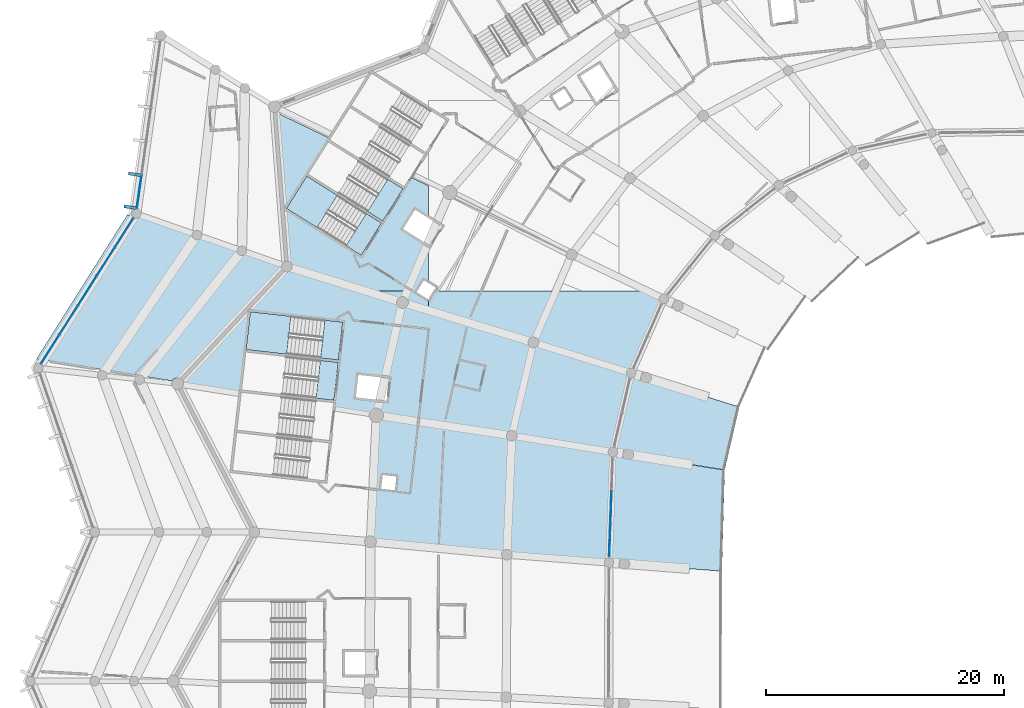
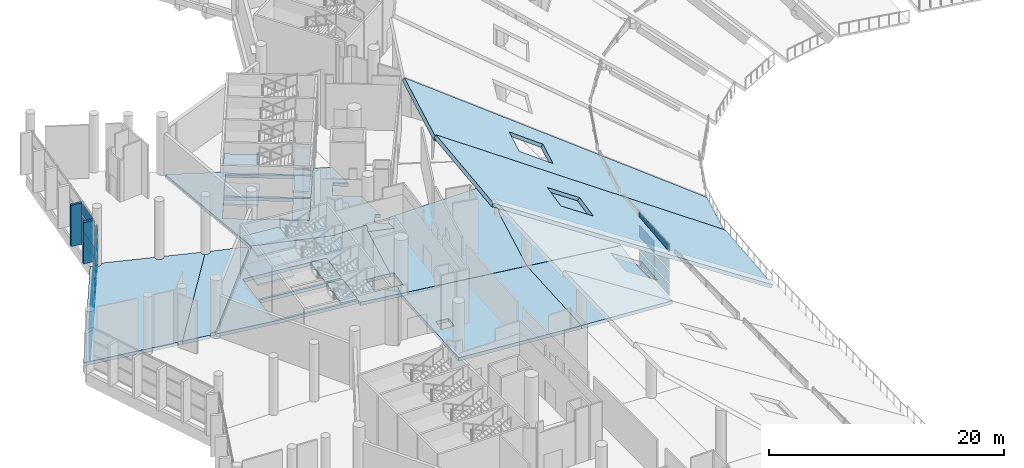
# One storey, part 120 of 249: 28 plates, 21 slabs, 7 elements without a shape of their own.
"""IFC4 building model written with IfcOpenShell, lengths in metres."""

from ifc_helpers import new_model, si_unit, direction, frame, origin, origin_2d, place, context, subcontext, project, spatial, polyline, rectangle, outline, extrude, material, layer, layer_set, type_object, element, aggregate, save


model = new_model("IFC4")

# Units and contexts
model_context = context("Model", 3, precision=1e-05, world=origin(), true_north=direction((0.0, 1.0)))
body_context = subcontext(model_context, "Body", "Model", "MODEL_VIEW")
ifc_project = project(units=[si_unit("LENGTHUNIT", "METRE"), si_unit("AREAUNIT", "SQUARE_METRE"), si_unit("VOLUMEUNIT", "CUBIC_METRE"), si_unit("PLANEANGLEUNIT", "RADIAN"), si_unit("MASSUNIT", "GRAM", prefix="KILO")], contexts=[model_context])

# Site, building, storey
site_placement = place(None, origin())
site = spatial("IfcSite", under=ifc_project, at=site_placement, CompositionType="ELEMENT")
building_placement = place(site_placement, origin())
building = spatial("IfcBuilding", under=site, at=building_placement, Name="Meseta Stadium", CompositionType="ELEMENT")
storey_placement = place(building_placement, frame((0.0, 0.0, 12.0)))
storey = spatial("IfcBuildingStorey", under=building, at=storey_placement, Name="L02", CompositionType="ELEMENT", Elevation=12.0)

# Curtain wall, plates
ifc_material_1 = material(Name="Aluminium", Category="aluminium")
ifc_layer_1 = layer(ifc_material_1, 0.199951171875)
ifc_layer_set_1 = layer_set([ifc_layer_1], Name="Suite glazing curtain wall")
curtain_wall_type_1 = type_object("IfcCurtainWallType", Name="Suite glazing curtain wall", PredefinedType="NOTDEFINED", material=ifc_layer_set_1)
curtain_wall_1_placement = place(storey_placement, origin())
curtain_wall_1 = element("IfcCurtainWall", 1, at=curtain_wall_1_placement, inside=storey, type_object=curtain_wall_type_1, Name="Suite glazing bay 28", PredefinedType="NOTDEFINED")
ifc_material_2 = material(Name="Glass", Category="glass")
ifc_layer_2 = layer(ifc_material_2, 0.035888671875)
ifc_layer_set_2 = layer_set([ifc_layer_2], Name="CW glass panel 36")
plate_type_1 = type_object("IfcPlateType", Name="CW glass panel 36", PredefinedType="CURTAIN_PANEL", material=ifc_layer_set_2)
plate_1_placement = place(storey_placement, frame((-64.665771484375, 45.840087890625, 0.14990234375), z_axis=(0.0, 0.0, 1.0), x_axis=(-0.035370706156, -0.999374260798, 0.0)))
plate_1 = element("IfcPlate", 2, at=plate_1_placement, type_object=plate_type_1, Name="CWS panel 2.1", PredefinedType="CURTAIN_PANEL", context=body_context, shape_type="SweptSolid", body=[
    extrude(rectangle(XDim=2.713134765625, YDim=0.035888671875, at=origin_2d()), origin(), (0.0, 0.0, 1.0), 1.1875),
])
plate_2_placement = place(storey_placement, frame((-64.665771484375, 45.840087890625, 1.4873046875), z_axis=(0.0, 0.0, 1.0), x_axis=(-0.035370706156, -0.999374260798, 0.0)))
plate_2 = element("IfcPlate", 3, at=plate_2_placement, type_object=plate_type_1, Name="CWS panel 2.2", PredefinedType="CURTAIN_PANEL", context=body_context, shape_type="SweptSolid", body=[
    extrude(rectangle(XDim=2.713134765625, YDim=0.035888671875, at=origin_2d()), origin(), (0.0, 0.0, 1.0), 1.262451171875),
])
plate_3_placement = place(storey_placement, frame((-64.665771484375, 45.840087890625, 2.89990234375), z_axis=(0.0, 0.0, 1.0), x_axis=(-0.035370706156, -0.999374260798, 0.0)))
plate_3 = element("IfcPlate", 4, at=plate_3_placement, type_object=plate_type_1, Name="CWS panel 2.3", PredefinedType="CURTAIN_PANEL", context=body_context, shape_type="SweptSolid", body=[
    extrude(rectangle(XDim=2.713134765625, YDim=0.035888671875, at=origin_2d()), origin(), (0.0, 0.0, 1.0), 1.262451171875),
])
plate_4_placement = place(storey_placement, frame((-64.665771484375, 45.840087890625, 4.3125), z_axis=(0.0, 0.0, 1.0), x_axis=(-0.035370706156, -0.999374260798, 0.0)))
plate_4 = element("IfcPlate", 5, at=plate_4_placement, type_object=plate_type_1, Name="CWS panel 2.4", PredefinedType="CURTAIN_PANEL", context=body_context, shape_type="SweptSolid", body=[
    extrude(rectangle(XDim=2.713134765625, YDim=0.035888671875, at=origin_2d()), origin(), (0.0, 0.0, 1.0), 1.1875),
])
plate_5_placement = place(storey_placement, frame((-64.763427734375, 43.083740234375, 0.14990234375), z_axis=(0.0, 0.0, 1.0), x_axis=(-0.035370706156, -0.999374260798, 0.0)))
plate_5 = element("IfcPlate", 6, at=plate_5_placement, type_object=plate_type_1, Name="CWS panel 3.1", PredefinedType="CURTAIN_PANEL", context=body_context, shape_type="SweptSolid", body=[
    extrude(rectangle(XDim=2.68310546875, YDim=0.035888671875, at=origin_2d()), origin(), (0.0, 0.0, 1.0), 1.1875),
])
plate_6_placement = place(storey_placement, frame((-64.763427734375, 43.083740234375, 1.4873046875), z_axis=(0.0, 0.0, 1.0), x_axis=(-0.035370706156, -0.999374260798, 0.0)))
plate_6 = element("IfcPlate", 7, at=plate_6_placement, type_object=plate_type_1, Name="CWS panel 3.2", PredefinedType="CURTAIN_PANEL", context=body_context, shape_type="SweptSolid", body=[
    extrude(rectangle(XDim=2.68310546875, YDim=0.035888671875, at=origin_2d()), origin(), (0.0, 0.0, 1.0), 1.262451171875),
])
plate_7_placement = place(storey_placement, frame((-64.763427734375, 43.083740234375, 2.89990234375), z_axis=(0.0, 0.0, 1.0), x_axis=(-0.035370706156, -0.999374260798, 0.0)))
plate_7 = element("IfcPlate", 8, at=plate_7_placement, type_object=plate_type_1, Name="CWS panel 3.3", PredefinedType="CURTAIN_PANEL", context=body_context, shape_type="SweptSolid", body=[
    extrude(rectangle(XDim=2.68310546875, YDim=0.035888671875, at=origin_2d()), origin(), (0.0, 0.0, 1.0), 1.262451171875),
])
plate_8_placement = place(storey_placement, frame((-64.763427734375, 43.083740234375, 4.3125), z_axis=(0.0, 0.0, 1.0), x_axis=(-0.035370706156, -0.999374260798, 0.0)))
plate_8 = element("IfcPlate", 9, at=plate_8_placement, type_object=plate_type_1, Name="CWS panel 3.4", PredefinedType="CURTAIN_PANEL", context=body_context, shape_type="SweptSolid", body=[
    extrude(rectangle(XDim=2.68310546875, YDim=0.035888671875, at=origin_2d()), origin(), (0.0, 0.0, 1.0), 1.1875),
])
aggregate(curtain_wall_1, [plate_1, plate_2, plate_3, plate_4, plate_5, plate_6, plate_7, plate_8])

# Slabs
ifc_material_3 = material(Name="Concrete C40/50", Category="concrete")
ifc_layer_3 = layer(ifc_material_3, 0.35009765625)
ifc_layer_set_3 = layer_set([ifc_layer_3], Name="Floor slab 350")
slab_type_1 = type_object("IfcSlabType", Name="Floor slab 350", PredefinedType="FLOOR", material=ifc_layer_set_3)
slab_1_placement = place(storey_placement, frame((0.0, 0.0, -0.35009765625)))
element("IfcSlab", 10, at=slab_1_placement, inside=storey, type_object=slab_type_1, Name="Floor slab L02 sector 21 panel 01", PredefinedType="FLOOR", context=body_context, shape_type="SweptSolid", body=[
    extrude(outline(polyline([(-87.94580078125, 54.62548828125), (-87.985595703125, 54.272216796875), (-84.335693359375, 53.684326171875), (-84.0673828125, 54.842529296875), (-86.08447265625, 55.06982421875), (-85.87158203125, 56.9580078125), (-83.635498046875, 56.7060546875), (-82.169189453125, 63.03369140625), (-81.75390625, 64.0), (-84.956787109375, 64.0), (-91.8818359375, 66.171142578125), (-91.872802734375, 66.051513671875), (-100.910888671875, 56.353759765625), (-95.3837890625, 55.463623046875), (-87.94580078125, 54.62548828125)]), holes=[polyline([(-95.67431640625, 55.697509765625), (-95.316162109375, 58.87744140625), (-87.565185546875, 58.004150390625), (-87.923583984375, 54.82421875), (-95.67431640625, 55.697509765625)]), polyline([(-95.293701171875, 59.076171875), (-94.935302734375, 62.256103515625), (-87.1845703125, 61.3828125), (-87.542724609375, 58.202880859375), (-95.293701171875, 59.076171875)])]), origin(), (0.0, 0.0, 1.0), 0.35009765625),
])
slab_2_placement = place(storey_placement, frame((0.0, 0.0, -0.35009765625)))
element("IfcSlab", 11, at=slab_2_placement, inside=storey, type_object=slab_type_1, Name="Floor slab L02 sector 21 panel 02", PredefinedType="FLOOR", context=body_context, shape_type="SweptSolid", body=[
    extrude(outline(polyline([(-80.0, 70.12353515625), (-80.0, 72.84228515625), (-81.504150390625, 73.565673828125), (-82.01708984375, 72.749267578125), (-88.282958984375, 76.686279296875), (-88.2158203125, 76.793212890625), (-92.87451171875, 79.03369140625), (-91.8818359375, 66.171142578125), (-84.956787109375, 64.0), (-81.75390625, 64.0), (-82.169189453125, 63.03369140625), (-80.0, 62.371826171875), (-80.0, 63.273681640625), (-81.015625, 63.91162109375), (-80.377197265625, 64.927734375), (-80.0, 64.69091796875), (-80.0, 67.879638671875), (-82.11572265625, 69.208984375), (-81.10498046875, 70.81787109375), (-80.0, 70.12353515625)]), holes=[polyline([(-91.90087890625, 70.9287109375), (-90.1982421875, 73.63818359375), (-83.9326171875, 69.700927734375), (-85.635009765625, 66.991455078125), (-91.90087890625, 70.9287109375)]), polyline([(-90.091796875, 73.807373046875), (-88.389404296875, 76.516845703125), (-82.123779296875, 72.579833984375), (-83.826171875, 69.870361328125), (-90.091796875, 73.807373046875)])]), origin(), (0.0, 0.0, 1.0), 0.35009765625),
])
slab_3_placement = place(storey_placement, frame((0.0, 0.0, -0.35009765625)))
element("IfcSlab", 12, at=slab_3_placement, inside=storey, type_object=slab_type_1, Name="Floor slab L02 sector 21 panel 04", PredefinedType="FLOOR", context=body_context, shape_type="SweptSolid", body=[
    extrude(outline(polyline([(-79.99951171875, 63.273193359375), (-80.0, 62.371826171875), (-82.169189453125, 63.03369140625), (-83.635498046875, 56.7060546875), (-83.2880859375, 56.6669921875), (-83.500732421875, 54.77880859375), (-84.0673828125, 54.842529296875), (-84.335693359375, 53.684326171875), (-72.989990234375, 51.85693359375), (-71.169677734375, 59.67724609375), (-69.297119140625, 64.0), (-79.54296875, 64.0), (-79.99951171875, 63.273193359375)])), origin(), (0.0, 0.0, 1.0), 0.35009765625),
])
slab_4_placement = place(storey_placement, frame((0.0, 0.0, -0.35009765625)))
element("IfcSlab", 13, at=slab_4_placement, inside=storey, type_object=slab_type_1, Name="Floor slab L02 sector 21 panel 08", PredefinedType="FLOOR", context=body_context, shape_type="SweptSolid", body=[
    extrude(outline(polyline([(-64.12451171875, 52.718017578125), (-63.885009765625, 53.827392578125), (-63.611328125, 54.928955078125), (-63.30419921875, 56.021484375), (-62.963623046875, 57.1044921875), (-62.590087890625, 58.17626953125), (-62.183837890625, 59.236328125), (-61.7451171875, 60.28369140625), (-61.274658203125, 61.31689453125), (-60.772705078125, 62.335693359375), (-60.22216796875, 63.33056640625), (-61.6142578125, 64.0), (-69.297119140625, 64.0), (-71.169677734375, 59.67724609375), (-72.989990234375, 51.85693359375), (-64.5, 50.489501953125), (-64.330322265625, 51.601806640625), (-64.12451171875, 52.718017578125)])), origin(), (0.0, 0.0, 1.0), 0.35009765625),
])
slab_5_placement = place(storey_placement, frame((0.0, 0.0, -0.35009765625)))
element("IfcSlab", 14, at=slab_5_placement, inside=storey, type_object=slab_type_1, Name="Floor slab L02 sector 28 panel 14", PredefinedType="FLOOR", context=body_context, shape_type="SweptSolid", body=[
    extrude(outline(polyline([(-72.99267578125, 51.837158203125), (-84.34033203125, 53.664794921875), (-84.36328125, 53.5654296875), (-84.85400390625, 42.948486328125), (-73.40478515625, 41.8623046875), (-72.99267578125, 51.837158203125)]), holes=[polyline([(-83.84716796875, 48.57861328125), (-82.65478515625, 48.444091796875), (-82.7890625, 47.251708984375), (-83.9814453125, 47.385986328125), (-83.84716796875, 48.57861328125)])]), origin(), (0.0, 0.0, 1.0), 0.35009765625),
])
slab_6_placement = place(storey_placement, frame((0.0, 0.0, -0.35009765625)))
element("IfcSlab", 15, at=slab_6_placement, inside=storey, type_object=slab_type_1, Name="Floor slab L02 sector 28 panel 21", PredefinedType="FLOOR", context=body_context, shape_type="SweptSolid", body=[
    extrude(outline(polyline([(-64.638427734375, 49.352783203125), (-64.502685546875, 50.4697265625), (-72.99267578125, 51.837158203125), (-73.40478515625, 41.8623046875), (-64.829833984375, 41.2041015625), (-64.80859375, 47.08837890625), (-64.740966796875, 48.221923828125), (-64.638427734375, 49.352783203125)])), origin(), (0.0, 0.0, 1.0), 0.35009765625),
])
slab_7_placement = place(storey_placement, frame((0.0, 0.0, -0.35009765625)))
element("IfcSlab", 16, at=slab_7_placement, inside=storey, type_object=slab_type_1, Name="Ring floor slab L02 4 part 2 panel 01", PredefinedType="FLOOR", context=body_context, shape_type="SweptSolid", body=[
    extrude(outline(polyline([(-104.235595703125, 70.19189453125), (-104.319091796875, 70.1279296875), (-104.416259765625, 70.087646484375), (-104.520751953125, 70.073974609375), (-104.625244140625, 70.087646484375), (-104.722412109375, 70.1279296875), (-104.805908203125, 70.19189453125), (-104.837646484375, 70.233154296875), (-105.27880859375, 70.37158203125), (-112.895263671875, 58.283935546875), (-104.39697265625, 56.915283203125), (-104.31640625, 56.948486328125), (-104.2119140625, 56.96240234375), (-104.107666015625, 56.948486328125), (-104.01025390625, 56.908203125), (-103.963623046875, 56.87255859375), (-95.896484375, 67.05908203125), (-95.93359375, 67.08740234375), (-95.997802734375, 67.1708984375), (-96.0380859375, 67.268310546875), (-96.0517578125, 67.372802734375), (-96.038330078125, 67.474365234375), (-96.0263671875, 67.5048828125), (-99.045654296875, 68.5615234375), (-99.074462890625, 68.4921875), (-99.138427734375, 68.408447265625), (-99.22216796875, 68.344482421875), (-99.3193359375, 68.30419921875), (-99.423828125, 68.290283203125), (-99.5283203125, 68.30419921875), (-99.62548828125, 68.344482421875), (-99.64794921875, 68.361572265625), (-99.708984375, 68.408447265625), (-99.773193359375, 68.4921875), (-99.8134765625, 68.58935546875), (-99.8271484375, 68.69384765625), (-99.8134765625, 68.798095703125), (-99.802001953125, 68.826171875), (-104.142578125, 70.344970703125), (-104.17138671875, 70.275634765625), (-104.235595703125, 70.19189453125)])), origin(), (0.0, 0.0, 1.0), 0.35009765625),
])
slab_8_placement = place(storey_placement, frame((0.0, 0.0, -0.35009765625)))
element("IfcSlab", 17, at=slab_8_placement, inside=storey, type_object=slab_type_1, Name="Ring floor slab L02 4 part 2 panel 03", PredefinedType="FLOOR", context=body_context, shape_type="SweptSolid", body=[
    extrude(outline(polyline([(-92.27294921875, 65.842041015625), (-92.31103515625, 65.93408203125), (-92.32666015625, 66.051513671875), (-92.31103515625, 66.1689453125), (-92.265869140625, 66.278564453125), (-92.2578125, 66.2890625), (-95.272705078125, 67.234375), (-95.298828125, 67.1708984375), (-95.363037109375, 67.08740234375), (-95.446533203125, 67.023193359375), (-95.543701171875, 66.98291015625), (-95.648193359375, 66.96923828125), (-95.752685546875, 66.98291015625), (-95.85009765625, 67.023193359375), (-95.896484375, 67.05908203125), (-103.963623046875, 56.87255859375), (-103.9267578125, 56.84423828125), (-103.922607421875, 56.8388671875), (-101.49169921875, 56.447265625), (-101.48828125, 56.455078125), (-101.408203125, 56.559326171875), (-101.3037109375, 56.6396484375), (-101.18212890625, 56.68994140625), (-101.0517578125, 56.70703125), (-100.921142578125, 56.68994140625), (-100.835693359375, 56.654541015625), (-92.27294921875, 65.842041015625)])), origin(), (0.0, 0.0, 1.0), 0.35009765625),
])

# Curtain wall, plates
ifc_material_4 = material(Name="Aluminium", Category="aluminium")
ifc_layer_4 = layer(ifc_material_4, 0.199951171875)
ifc_layer_set_4 = layer_set([ifc_layer_4], Name="Ring shopfront curtain wall")
curtain_wall_type_2 = type_object("IfcCurtainWallType", Name="Ring shopfront curtain wall", PredefinedType="NOTDEFINED", material=ifc_layer_set_4)
curtain_wall_2_placement = place(storey_placement, origin())
curtain_wall_2 = element("IfcCurtainWall", 18, at=curtain_wall_2_placement, inside=storey, type_object=curtain_wall_type_2, Name="Ring glazing L02 F26", PredefinedType="NOTDEFINED")
ifc_material_5 = material(Name="Glass", Category="glass")
ifc_layer_5 = layer(ifc_material_5, 0.035888671875)
ifc_layer_set_5 = layer_set([ifc_layer_5], Name="Ring CW glass panel 36")
plate_type_2 = type_object("IfcPlateType", Name="Ring CW glass panel 36", PredefinedType="CURTAIN_PANEL", material=ifc_layer_set_5)
plate_9_placement = place(storey_placement, frame((-104.2646484375, 72.306640625, 0.14990234375), z_axis=(0.0, 0.0, 1.0), x_axis=(-0.13864277713, -0.990342456098, 0.0)))
plate_9 = element("IfcPlate", 19, at=plate_9_placement, type_object=plate_type_2, Name="CWR1 panel 5.1", PredefinedType="CURTAIN_PANEL", context=body_context, shape_type="SweptSolid", body=[
    extrude(rectangle(XDim=2.7744140625, YDim=0.035888671875, at=origin_2d()), origin(), (0.0, 0.0, 1.0), 1.208251953125),
])
plate_10_placement = place(storey_placement, frame((-104.2646484375, 72.306640625, 1.50830078125), z_axis=(0.0, 0.0, 1.0), x_axis=(-0.13864277713, -0.990342456098, 0.0)))
plate_10 = element("IfcPlate", 20, at=plate_10_placement, type_object=plate_type_2, Name="CWR1 panel 5.2", PredefinedType="CURTAIN_PANEL", context=body_context, shape_type="SweptSolid", body=[
    extrude(rectangle(XDim=2.7744140625, YDim=0.035888671875, at=origin_2d()), origin(), (0.0, 0.0, 1.0), 1.283447265625),
])
plate_11_placement = place(storey_placement, frame((-104.2646484375, 72.306640625, 2.94189453125), z_axis=(0.0, 0.0, 1.0), x_axis=(-0.13864277713, -0.990342456098, 0.0)))
plate_11 = element("IfcPlate", 21, at=plate_11_placement, type_object=plate_type_2, Name="CWR1 panel 5.3", PredefinedType="CURTAIN_PANEL", context=body_context, shape_type="SweptSolid", body=[
    extrude(rectangle(XDim=2.7744140625, YDim=0.035888671875, at=origin_2d()), origin(), (0.0, 0.0, 1.0), 1.208251953125),
])
aggregate(curtain_wall_2, [plate_9, plate_10, plate_11])

curtain_wall_3_placement = place(storey_placement, origin())
curtain_wall_3 = element("IfcCurtainWall", 22, at=curtain_wall_3_placement, inside=storey, type_object=curtain_wall_type_2, Name="Ring glazing L02 F27", PredefinedType="NOTDEFINED")
plate_12_placement = place(storey_placement, frame((-105.52197265625, 68.898681640625, 0.14990234375), z_axis=(0.0, 0.0, 1.0), x_axis=(-0.535569055659, -0.844491436677, 0.0)))
plate_12 = element("IfcPlate", 23, at=plate_12_placement, type_object=plate_type_2, Name="CWR1 panel 1.1", PredefinedType="CURTAIN_PANEL", context=body_context, shape_type="SweptSolid", body=[
    extrude(rectangle(XDim=2.81884765625, YDim=0.035888671875, at=origin_2d()), origin(), (0.0, 0.0, 1.0), 1.208251953125),
])
plate_13_placement = place(storey_placement, frame((-105.52197265625, 68.898681640625, 1.50830078125), z_axis=(0.0, 0.0, 1.0), x_axis=(-0.535569055659, -0.844491436677, 0.0)))
plate_13 = element("IfcPlate", 24, at=plate_13_placement, type_object=plate_type_2, Name="CWR1 panel 1.2", PredefinedType="CURTAIN_PANEL", context=body_context, shape_type="SweptSolid", body=[
    extrude(rectangle(XDim=2.81884765625, YDim=0.035888671875, at=origin_2d()), origin(), (0.0, 0.0, 1.0), 1.283447265625),
])
plate_14_placement = place(storey_placement, frame((-105.52197265625, 68.898681640625, 2.94189453125), z_axis=(0.0, 0.0, 1.0), x_axis=(-0.535569055659, -0.844491436677, 0.0)))
plate_14 = element("IfcPlate", 25, at=plate_14_placement, type_object=plate_type_2, Name="CWR1 panel 1.3", PredefinedType="CURTAIN_PANEL", context=body_context, shape_type="SweptSolid", body=[
    extrude(rectangle(XDim=2.81884765625, YDim=0.035888671875, at=origin_2d()), origin(), (0.0, 0.0, 1.0), 1.208251953125),
])
plate_15_placement = place(storey_placement, frame((-107.07177734375, 66.454833984375, 0.14990234375), z_axis=(0.0, 0.0, 1.0), x_axis=(-0.535569055659, -0.844491436677, 0.0)))
plate_15 = element("IfcPlate", 26, at=plate_15_placement, type_object=plate_type_2, Name="CWR1 panel 2.1", PredefinedType="CURTAIN_PANEL", context=body_context, shape_type="SweptSolid", body=[
    extrude(rectangle(XDim=2.848876953125, YDim=0.035888671875, at=origin_2d()), origin(), (0.0, 0.0, 1.0), 1.208251953125),
])
plate_16_placement = place(storey_placement, frame((-107.07177734375, 66.454833984375, 1.50830078125), z_axis=(0.0, 0.0, 1.0), x_axis=(-0.535569055659, -0.844491436677, 0.0)))
plate_16 = element("IfcPlate", 27, at=plate_16_placement, type_object=plate_type_2, Name="CWR1 panel 2.2", PredefinedType="CURTAIN_PANEL", context=body_context, shape_type="SweptSolid", body=[
    extrude(rectangle(XDim=2.848876953125, YDim=0.035888671875, at=origin_2d()), origin(), (0.0, 0.0, 1.0), 1.283447265625),
])
plate_17_placement = place(storey_placement, frame((-107.07177734375, 66.454833984375, 2.94189453125), z_axis=(0.0, 0.0, 1.0), x_axis=(-0.535569055659, -0.844491436677, 0.0)))
plate_17 = element("IfcPlate", 28, at=plate_17_placement, type_object=plate_type_2, Name="CWR1 panel 2.3", PredefinedType="CURTAIN_PANEL", context=body_context, shape_type="SweptSolid", body=[
    extrude(rectangle(XDim=2.848876953125, YDim=0.035888671875, at=origin_2d()), origin(), (0.0, 0.0, 1.0), 1.208251953125),
])
plate_18_placement = place(storey_placement, frame((-108.629638671875, 63.99853515625, 0.14990234375), z_axis=(0.0, 0.0, 1.0), x_axis=(-0.535569055659, -0.844491436677, 0.0)))
plate_18 = element("IfcPlate", 29, at=plate_18_placement, type_object=plate_type_2, Name="CWR1 panel 3.1", PredefinedType="CURTAIN_PANEL", context=body_context, shape_type="SweptSolid", body=[
    extrude(rectangle(XDim=2.848876953125, YDim=0.035888671875, at=origin_2d()), origin(), (0.0, 0.0, 1.0), 1.208251953125),
])
plate_19_placement = place(storey_placement, frame((-108.629638671875, 63.99853515625, 1.50830078125), z_axis=(0.0, 0.0, 1.0), x_axis=(-0.535569055659, -0.844491436677, 0.0)))
plate_19 = element("IfcPlate", 30, at=plate_19_placement, type_object=plate_type_2, Name="CWR1 panel 3.2", PredefinedType="CURTAIN_PANEL", context=body_context, shape_type="SweptSolid", body=[
    extrude(rectangle(XDim=2.848876953125, YDim=0.035888671875, at=origin_2d()), origin(), (0.0, 0.0, 1.0), 1.283447265625),
])
plate_20_placement = place(storey_placement, frame((-108.629638671875, 63.99853515625, 2.94189453125), z_axis=(0.0, 0.0, 1.0), x_axis=(-0.535569055659, -0.844491436677, 0.0)))
plate_20 = element("IfcPlate", 31, at=plate_20_placement, type_object=plate_type_2, Name="CWR1 panel 3.3", PredefinedType="CURTAIN_PANEL", context=body_context, shape_type="SweptSolid", body=[
    extrude(rectangle(XDim=2.848876953125, YDim=0.035888671875, at=origin_2d()), origin(), (0.0, 0.0, 1.0), 1.208251953125),
])
plate_21_placement = place(storey_placement, frame((-110.1875, 61.5419921875, 0.14990234375), z_axis=(0.0, 0.0, 1.0), x_axis=(-0.535569055659, -0.844491436677, 0.0)))
plate_21 = element("IfcPlate", 32, at=plate_21_placement, type_object=plate_type_2, Name="CWR1 panel 4.1", PredefinedType="CURTAIN_PANEL", context=body_context, shape_type="SweptSolid", body=[
    extrude(rectangle(XDim=2.848876953125, YDim=0.035888671875, at=origin_2d()), origin(), (0.0, 0.0, 1.0), 1.208251953125),
])
plate_22_placement = place(storey_placement, frame((-110.1875, 61.5419921875, 1.50830078125), z_axis=(0.0, 0.0, 1.0), x_axis=(-0.535569055659, -0.844491436677, 0.0)))
plate_22 = element("IfcPlate", 33, at=plate_22_placement, type_object=plate_type_2, Name="CWR1 panel 4.2", PredefinedType="CURTAIN_PANEL", context=body_context, shape_type="SweptSolid", body=[
    extrude(rectangle(XDim=2.848876953125, YDim=0.035888671875, at=origin_2d()), origin(), (0.0, 0.0, 1.0), 1.283447265625),
])
plate_23_placement = place(storey_placement, frame((-110.1875, 61.5419921875, 2.94189453125), z_axis=(0.0, 0.0, 1.0), x_axis=(-0.535569055659, -0.844491436677, 0.0)))
plate_23 = element("IfcPlate", 34, at=plate_23_placement, type_object=plate_type_2, Name="CWR1 panel 4.3", PredefinedType="CURTAIN_PANEL", context=body_context, shape_type="SweptSolid", body=[
    extrude(rectangle(XDim=2.848876953125, YDim=0.035888671875, at=origin_2d()), origin(), (0.0, 0.0, 1.0), 1.208251953125),
])
plate_24_placement = place(storey_placement, frame((-111.7373046875, 59.098388671875, 0.14990234375), z_axis=(0.0, 0.0, 1.0), x_axis=(-0.535569055659, -0.844491436677, 0.0)))
plate_24 = element("IfcPlate", 35, at=plate_24_placement, type_object=plate_type_2, Name="CWR1 panel 5.1", PredefinedType="CURTAIN_PANEL", context=body_context, shape_type="SweptSolid", body=[
    extrude(rectangle(XDim=2.81884765625, YDim=0.035888671875, at=origin_2d()), origin(), (0.0, 0.0, 1.0), 1.208251953125),
])
plate_25_placement = place(storey_placement, frame((-111.7373046875, 59.098388671875, 1.50830078125), z_axis=(0.0, 0.0, 1.0), x_axis=(-0.535569055659, -0.844491436677, 0.0)))
plate_25 = element("IfcPlate", 36, at=plate_25_placement, type_object=plate_type_2, Name="CWR1 panel 5.2", PredefinedType="CURTAIN_PANEL", context=body_context, shape_type="SweptSolid", body=[
    extrude(rectangle(XDim=2.81884765625, YDim=0.035888671875, at=origin_2d()), origin(), (0.0, 0.0, 1.0), 1.283447265625),
])
plate_26_placement = place(storey_placement, frame((-111.7373046875, 59.098388671875, 2.94189453125), z_axis=(0.0, 0.0, 1.0), x_axis=(-0.535569055659, -0.844491436677, 0.0)))
plate_26 = element("IfcPlate", 37, at=plate_26_placement, type_object=plate_type_2, Name="CWR1 panel 5.3", PredefinedType="CURTAIN_PANEL", context=body_context, shape_type="SweptSolid", body=[
    extrude(rectangle(XDim=2.81884765625, YDim=0.035888671875, at=origin_2d()), origin(), (0.0, 0.0, 1.0), 1.208251953125),
])
aggregate(curtain_wall_3, [plate_12, plate_13, plate_14, plate_15, plate_16, plate_17, plate_18, plate_19, plate_20, plate_21, plate_22, plate_23, plate_24, plate_25, plate_26])

# Plates
ifc_material_6 = material(Name="Precast concrete C40/50", Category="concrete")
ifc_layer_6 = layer(ifc_material_6, 0.25)
ifc_layer_set_6 = layer_set([ifc_layer_6], Name="Ring brise-soleil fin 250x1000")
plate_type_3 = type_object("IfcPlateType", Name="Ring brise-soleil fin 250x1000", PredefinedType="USERDEFINED", material=ifc_layer_set_6)
for number, where, z_axis, x_axis, name in (
    (38, (-104.662353515625, 73.79345703125, 0.0), (0.0, 0.0, 1.0), (-0.138640750978, -0.990342739746, 0.0), "Brise-soleil fin L02 F26.5"),
    (39, (-105.049072265625, 71.031005859375, 0.0), (0.0, 0.0, 1.0), (-0.138640750978, -0.990342739746, 0.0), "Brise-soleil fin L02 F26.6"),
):
    element("IfcPlate", number, at=place(storey_placement, frame(where, z_axis=z_axis, x_axis=x_axis)), inside=storey, type_object=plate_type_3, Name=name, ObjectType="FIN", PredefinedType="USERDEFINED", context=body_context, shape_type="SweptSolid", body=[
        extrude(rectangle(XDim=0.25, YDim=1.0, at=origin_2d()), origin(), (0.0, 0.0, 1.0), 4.300048828125),
    ])

# Slabs
ifc_material_7 = material(Name="Concrete C40/50", Category="concrete")
ifc_layer_7 = layer(ifc_material_7, 0.35009765625)
ifc_layer_set_7 = layer_set([ifc_layer_7], Name="Seating tier 350")
slab_type_2 = type_object("IfcSlabType", Name="Seating tier 350", PredefinedType="USERDEFINED", material=ifc_layer_set_7)
slab_9_placement = place(storey_placement, frame((-53.898681640625, 54.26220703125, -0.9921875), z_axis=(0.515820522783, -0.121766351001, 0.847998905683), x_axis=(-0.809748444713, 0.25388312535, 0.529009276807)))
element("IfcSlab", 40, at=slab_9_placement, inside=storey, type_object=slab_type_2, Name="Stand upper tier bay 28", ObjectType="SEATING TIER", PredefinedType="USERDEFINED", context=body_context, shape_type="SweptSolid", body=[
    extrude(outline(polyline([(0.0, 0.0), (31.109576013385656, -8.881784197001252e-16), (30.516525428915102, 9.205793978807094), (-0.3605263567858182, 5.410582680381963), (0.0, 0.0)]), holes=[polyline([(17.520751953125, 2.291259765625), (21.052001953125, 2.50732421875), (20.86865234375, 5.501708984375), (17.337646484375, 5.28564453125), (17.520751953125, 2.291259765625)])]), origin(), (0.0, 0.0, -1.0), 0.35009765625),
])
slab_10_placement = place(storey_placement, frame((-55.122802734375, 48.959228515625, -0.760498046875), z_axis=(0.526298388577, -0.062535597382, 0.847997231859), x_axis=(-0.837410435143, 0.134868516052, 0.52967371701)))
element("IfcSlab", 41, at=slab_10_placement, inside=storey, type_object=slab_type_2, Name="Stand upper tier bay 29", ObjectType="SEATING TIER", PredefinedType="USERDEFINED", context=body_context, shape_type="SweptSolid", body=[
    extrude(outline(polyline([(0.0, 0.0), (31.124830810299418, 6.661338147750939e-16), (29.846129348857836, 10.60505901318238), (-1.20107172469422, 8.41367660887009), (0.0, 0.0)]), holes=[polyline([(17.23291015625, 3.329345703125), (20.7685546875, 3.45361328125), (20.6630859375, 6.451904296875), (17.127685546875, 6.32763671875), (17.23291015625, 3.329345703125)])]), origin(), (0.0, 0.0, -1.0), 0.35009765625),
])

# Stair, slabs
ifc_material_8 = material(Name="Concrete C40/50", Category="concrete")
stair_type = type_object("IfcStairType", Name="Exit stair 4 flights 150 mm risers", PredefinedType="HALF_TURN_STAIR", material=ifc_material_8)
stair_1_placement = place(storey_placement, origin())
stair_1 = element("IfcStair", 42, at=stair_1_placement, inside=storey, type_object=stair_type, Name="ST55 L02", PredefinedType="HALF_TURN_STAIR")
ifc_material_9 = material(Name="Concrete C40/50", Category="concrete")
ifc_layer_8 = layer(ifc_material_9, 0.199951171875)
ifc_layer_set_8 = layer_set([ifc_layer_8], Name="Stair landing 200")
slab_type_3 = type_object("IfcSlabType", Name="Stair landing 200", PredefinedType="LANDING", material=ifc_layer_set_8)
slab_11_placement = place(storey_placement, frame((0.0, 0.0, 2.800048828125)))
slab_11 = element("IfcSlab", 43, at=slab_11_placement, type_object=slab_type_3, Name="ST55 L02 landing 2", PredefinedType="LANDING", context=body_context, shape_type="SweptSolid", body=[
    extrude(outline(polyline([(-82.12353515625, 72.579833984375), (-83.402099609375, 73.38330078125), (-85.104736328125, 70.673828125), (-83.826171875, 69.870361328125), (-82.12353515625, 72.579833984375)])), origin(), (0.0, 0.0, 1.0), 0.199951171875),
])
slab_12_placement = place(storey_placement, frame((0.0, 0.0, -0.199951171875)))
slab_12 = element("IfcSlab", 44, at=slab_12_placement, type_object=slab_type_3, Name="ST55 L02 landing 4", PredefinedType="LANDING", context=body_context, shape_type="SweptSolid", body=[
    extrude(outline(polyline([(-82.12353515625, 72.579833984375), (-83.402099609375, 73.38330078125), (-85.104736328125, 70.673828125), (-83.826171875, 69.870361328125), (-82.12353515625, 72.579833984375)])), origin(), (0.0, 0.0, 1.0), 0.199951171875),
])
aggregate(stair_1, [slab_11, slab_12])

stair_2_placement = place(storey_placement, origin())
stair_2 = element("IfcStair", 45, at=stair_2_placement, inside=storey, type_object=stair_type, Name="ST56 L02", PredefinedType="HALF_TURN_STAIR")
slab_13_placement = place(storey_placement, frame((0.0, 0.0, 1.300048828125)))
slab_13 = element("IfcSlab", 46, at=slab_13_placement, type_object=slab_type_3, Name="ST56 L02 landing 1", PredefinedType="LANDING", context=body_context, shape_type="SweptSolid", body=[
    extrude(outline(polyline([(-87.6328125, 72.026123046875), (-90.1982421875, 73.63818359375), (-91.90087890625, 70.928466796875), (-89.335205078125, 69.31640625), (-87.6328125, 72.026123046875)])), origin(), (0.0, 0.0, 1.0), 0.199951171875),
])
slab_14_placement = place(storey_placement, frame((0.0, 0.0, 2.800048828125)))
slab_14 = element("IfcSlab", 47, at=slab_14_placement, type_object=slab_type_3, Name="ST56 L02 landing 2", PredefinedType="LANDING", context=body_context, shape_type="SweptSolid", body=[
    extrude(outline(polyline([(-83.9326171875, 69.700927734375), (-85.211181640625, 70.50439453125), (-86.91357421875, 67.794921875), (-85.635009765625, 66.991455078125), (-83.9326171875, 69.700927734375)])), origin(), (0.0, 0.0, 1.0), 0.199951171875),
])
slab_15_placement = place(storey_placement, frame((0.0, 0.0, 4.300048828125)))
slab_15 = element("IfcSlab", 48, at=slab_15_placement, type_object=slab_type_3, Name="ST56 L02 landing 3", PredefinedType="LANDING", context=body_context, shape_type="SweptSolid", body=[
    extrude(outline(polyline([(-87.6328125, 72.026123046875), (-90.1982421875, 73.63818359375), (-91.90087890625, 70.928466796875), (-89.335205078125, 69.31640625), (-87.6328125, 72.026123046875)])), origin(), (0.0, 0.0, 1.0), 0.199951171875),
])
slab_16_placement = place(storey_placement, frame((0.0, 0.0, -0.199951171875)))
slab_16 = element("IfcSlab", 49, at=slab_16_placement, type_object=slab_type_3, Name="ST56 L02 landing 4", PredefinedType="LANDING", context=body_context, shape_type="SweptSolid", body=[
    extrude(outline(polyline([(-83.9326171875, 69.700927734375), (-85.211181640625, 70.50439453125), (-86.91357421875, 67.794921875), (-85.635009765625, 66.991455078125), (-83.9326171875, 69.700927734375)])), origin(), (0.0, 0.0, 1.0), 0.199951171875),
])
aggregate(stair_2, [slab_13, slab_14, slab_15, slab_16])

stair_3_placement = place(storey_placement, origin())
stair_3 = element("IfcStair", 50, at=stair_3_placement, inside=storey, type_object=stair_type, Name="ST57 L02", PredefinedType="HALF_TURN_STAIR")
slab_17_placement = place(storey_placement, frame((0.0, 0.0, 1.300048828125)))
slab_17 = element("IfcSlab", 51, at=slab_17_placement, type_object=slab_type_3, Name="ST57 L02 landing 1", PredefinedType="LANDING", context=body_context, shape_type="SweptSolid", body=[
    extrude(outline(polyline([(-91.527099609375, 61.8720703125), (-94.935546875, 62.256103515625), (-95.293701171875, 59.076171875), (-91.88525390625, 58.692138671875), (-91.527099609375, 61.8720703125)])), origin(), (0.0, 0.0, 1.0), 0.199951171875),
])
slab_18_placement = place(storey_placement, frame((0.0, 0.0, 2.800048828125)))
slab_18 = element("IfcSlab", 52, at=slab_18_placement, type_object=slab_type_3, Name="ST57 L02 landing 2", PredefinedType="LANDING", context=body_context, shape_type="SweptSolid", body=[
    extrude(outline(polyline([(-87.1845703125, 61.3828125), (-88.68505859375, 61.5517578125), (-89.043212890625, 58.3720703125), (-87.542724609375, 58.202880859375), (-87.1845703125, 61.3828125)])), origin(), (0.0, 0.0, 1.0), 0.199951171875),
])
slab_19_placement = place(storey_placement, frame((0.0, 0.0, 4.300048828125)))
slab_19 = element("IfcSlab", 53, at=slab_19_placement, type_object=slab_type_3, Name="ST57 L02 landing 3", PredefinedType="LANDING", context=body_context, shape_type="SweptSolid", body=[
    extrude(outline(polyline([(-91.527099609375, 61.8720703125), (-94.935546875, 62.256103515625), (-95.293701171875, 59.076171875), (-91.88525390625, 58.692138671875), (-91.527099609375, 61.8720703125)])), origin(), (0.0, 0.0, 1.0), 0.199951171875),
])
slab_20_placement = place(storey_placement, frame((0.0, 0.0, -0.199951171875)))
slab_20 = element("IfcSlab", 54, at=slab_20_placement, type_object=slab_type_3, Name="ST57 L02 landing 4", PredefinedType="LANDING", context=body_context, shape_type="SweptSolid", body=[
    extrude(outline(polyline([(-87.1845703125, 61.3828125), (-88.68505859375, 61.5517578125), (-89.043212890625, 58.3720703125), (-87.542724609375, 58.202880859375), (-87.1845703125, 61.3828125)])), origin(), (0.0, 0.0, 1.0), 0.199951171875),
])
aggregate(stair_3, [slab_17, slab_18, slab_19, slab_20])

# Stair, slab
stair_4_placement = place(storey_placement, origin())
stair_4 = element("IfcStair", 55, at=stair_4_placement, inside=storey, type_object=stair_type, Name="ST58 L02", PredefinedType="HALF_TURN_STAIR")
slab_21_placement = place(storey_placement, frame((0.0, 0.0, -0.199951171875)))
slab_21 = element("IfcSlab", 56, at=slab_21_placement, type_object=slab_type_3, Name="ST58 L02 landing 4", PredefinedType="LANDING", context=body_context, shape_type="SweptSolid", body=[
    extrude(outline(polyline([(-87.565185546875, 58.004150390625), (-89.065673828125, 58.17333984375), (-89.424072265625, 54.993408203125), (-87.92333984375, 54.82421875), (-87.565185546875, 58.004150390625)])), origin(), (0.0, 0.0, 1.0), 0.199951171875),
])
aggregate(stair_4, [slab_21])

save(model, "model.ifc")
